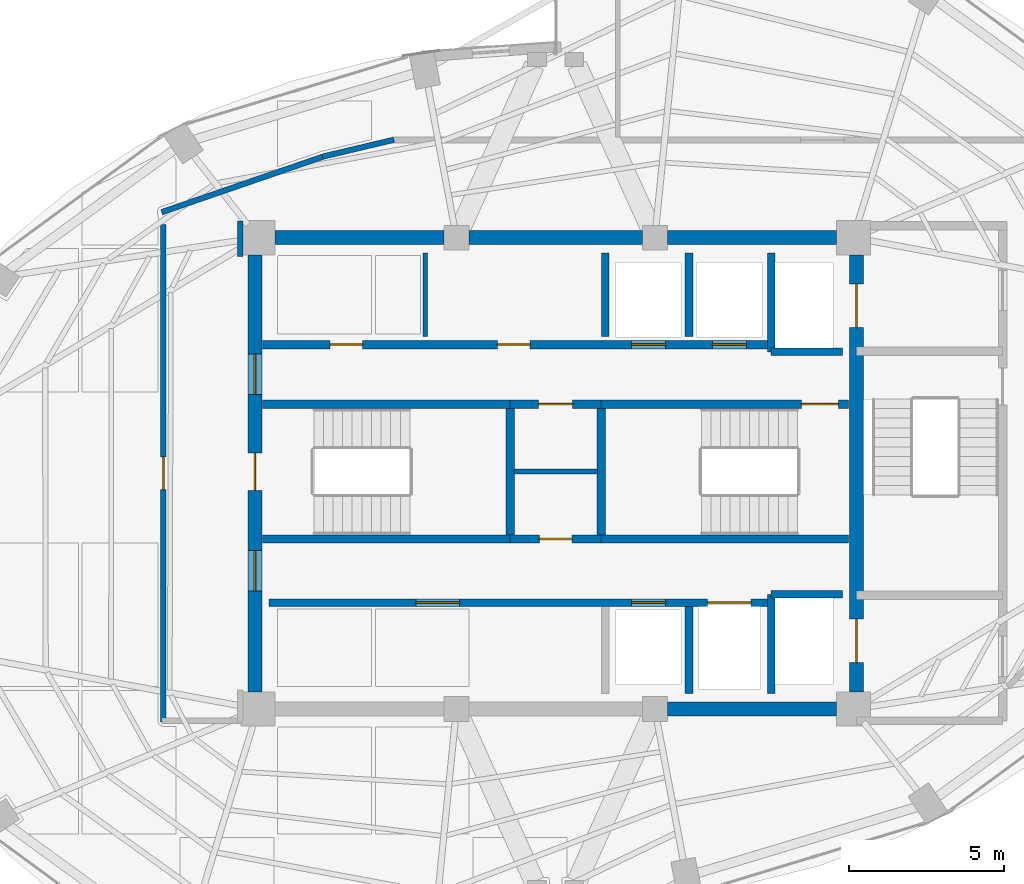
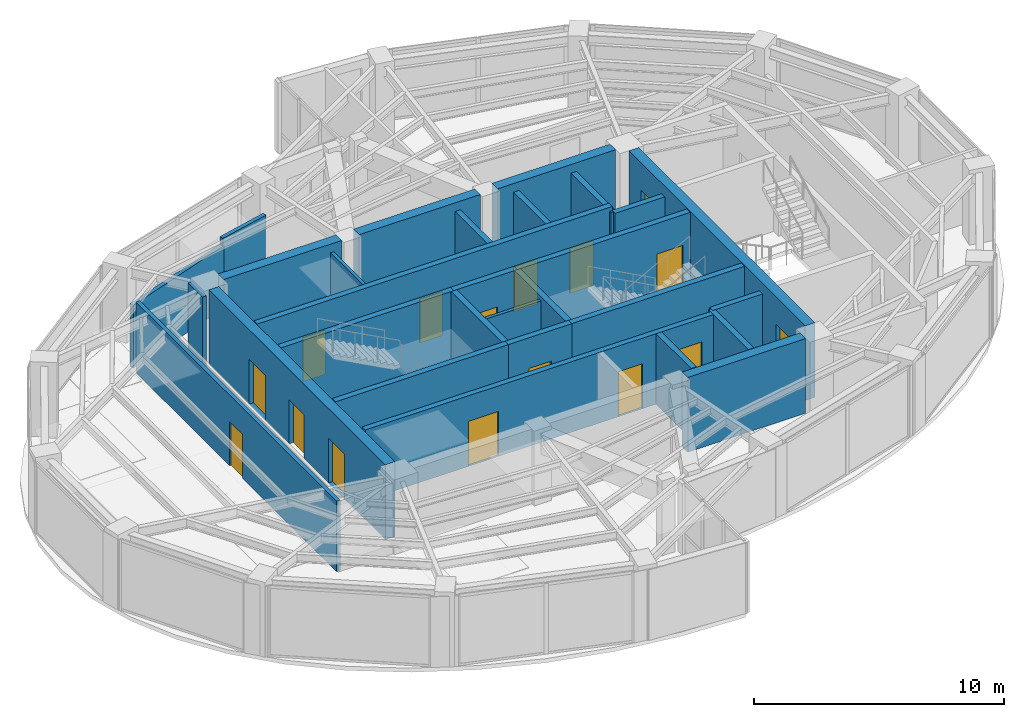
# One storey, part 19 of 22: 29 walls, 16 doors, 16 openings.
"""IFC4 building model written with IfcOpenShell, lengths in metres."""

from ifc_helpers import new_model, si_unit, direction, frame, frame_2d, origin, place, context, subcontext, project, spatial, rectangle, extrude, material, layer, layer_set, type_object, element, fill, save


model = new_model("IFC4")

# Units and contexts
model_context = context("Model", 3, precision=1e-05, world=origin(), true_north=direction((0.0, 1.0)))
body_context = subcontext(model_context, "Body", "Model", "MODEL_VIEW")
ifc_project = project(units=[si_unit("LENGTHUNIT", "METRE"), si_unit("AREAUNIT", "SQUARE_METRE"), si_unit("VOLUMEUNIT", "CUBIC_METRE"), si_unit("PLANEANGLEUNIT", "RADIAN"), si_unit("MASSUNIT", "GRAM", prefix="KILO")], contexts=[model_context])

# Site, building, storey
site_placement = place(None, origin())
site = spatial("IfcSite", under=ifc_project, at=site_placement, CompositionType="ELEMENT")
building_placement = place(site_placement, origin())
building = spatial("IfcBuilding", under=site, at=building_placement, Name="Lazwardi Medical Tower", CompositionType="ELEMENT")
storey_placement = place(building_placement, frame((0.0, 0.0, 255.02392578125)))
storey = spatial("IfcBuildingStorey", under=building, at=storey_placement, Name="L66", CompositionType="ELEMENT", Elevation=255.02392578125)

# Walls
ifc_material_1 = material(Name="Fire-rated gypsum board on steel stud", Category="steel")
ifc_layer_1 = layer(ifc_material_1, 0.179931640625)
ifc_layer_set_1 = layer_set([ifc_layer_1], Name="Fire-rated gypsum board on steel stud")
wall_type_1 = type_object("IfcWallType", Name="WL-COR-180", PredefinedType="PARTITIONING", material=ifc_layer_set_1)
wall_1_placement = place(storey_placement, frame((23.294189453125, 36.422119140625, 0.0), z_axis=(0.0, 0.0, 1.0), x_axis=(0.945493277461, 0.325641616316, 0.0)))
element("IfcWall", 1, at=wall_1_placement, inside=storey, type_object=wall_type_1, Name="L66 Corridor partition 1", PredefinedType="PARTITIONING", context=body_context, shape_type="SweptSolid", body=[
    extrude(rectangle(XDim=5.5615234375, YDim=0.179931640625, at=frame_2d((2.78076171875, 0.0))), origin(), (0.0, 0.0, 1.0), 3.072998046875),
])
wall_2_placement = place(storey_placement, frame((28.475830078125, 38.2109375, 0.0), z_axis=(0.0, 0.0, 1.0), x_axis=(0.973030562203, 0.230676234189, 0.0)))
element("IfcWall", 2, at=wall_2_placement, inside=storey, type_object=wall_type_1, Name="L66 Corridor partition 2", PredefinedType="PARTITIONING", context=body_context, shape_type="SweptSolid", body=[
    extrude(rectangle(XDim=2.377197265625, YDim=0.179931640625, at=frame_2d((1.1884765625, 0.0))), origin(), (0.0, 0.0, 1.0), 3.447998046875),
])
wall_3_placement = place(storey_placement, frame((25.830078125, 36.139892578125, 0.0), z_axis=(0.0, 0.0, 1.0), x_axis=(0.0, -1.0, 0.0)))
element("IfcWall", 3, at=wall_3_placement, inside=storey, type_object=wall_type_1, Name="L66 Corridor partition 7", PredefinedType="PARTITIONING", context=body_context, shape_type="SweptSolid", body=[
    extrude(rectangle(XDim=1.14990234375, YDim=0.179931640625, at=frame_2d((0.574951171875, 0.0))), origin(), (0.0, 0.0, 1.0), 3.447998046875),
])

# Wall, opening, door
wall_4_placement = place(storey_placement, frame((23.35009765625, 19.97998046875, 0.0), z_axis=(0.0, 0.0, 1.0), x_axis=(0.0, 1.0, 0.0)))
wall_4 = element("IfcWall", 4, at=wall_4_placement, inside=storey, type_object=wall_type_1, Name="L66 Corridor partition 10", PredefinedType="PARTITIONING", context=body_context, shape_type="SweptSolid", body=[
    extrude(rectangle(XDim=16.04248046875, YDim=0.179931640625, at=frame_2d((8.021240234375, 0.0))), origin(), (0.0, 0.0, 1.0), 3.447998046875),
])
opening_1_placement = place(wall_4_placement, frame((7.49609375, 0.0, 0.0)))
opening_1 = element("IfcOpeningElement", 5, at=opening_1_placement, cuts=wall_4, Name="Opening D-L66-010", PredefinedType="OPENING", context=body_context, shape_type="SweptSolid", body=[
    extrude(rectangle(XDim=1.050048828125, YDim=2.14990234375, at=frame_2d((0.52490234375, 1.074951171875))), frame((0.0, 0.099853515625, 0.0), z_axis=(0.0, -1.0, 0.0), x_axis=(1.0, 0.0, 0.0)), (0.0, 0.0, 1.0), 0.199951171875),
])
ifc_material_2 = material(Name="Anti-microbial laminate hospital leaf")
door_type_1 = type_object("IfcDoorType", Name="DR-CLN-1050", OperationType="NOTDEFINED", PredefinedType="DOOR", material=ifc_material_2)
door_1_placement = place(opening_1_placement, origin())
door_1 = element("IfcDoor", 6, at=door_1_placement, inside=storey, type_object=door_type_1, Name="L66 Ward Dietetic Pantry Door 01", OperationType="SINGLE_SWING_RIGHT", OverallHeight=2.14990234375, OverallWidth=1.050048828125, PredefinedType="DOOR", context=body_context, shape_type="SweptSolid", body=[
    extrude(rectangle(XDim=1.050048828125, YDim=2.14990234375, at=frame_2d((0.52490234375, 1.074951171875))), frame((0.0, 0.02490234375, 0.0), z_axis=(0.0, -1.0, 0.0), x_axis=(1.0, 0.0, 0.0)), (0.0, 0.0, 1.0), 0.050048828125),
])
fill(opening_1, door_1)

# Wall, openings, doors
ifc_material_3 = material(Name="Concrete C60/75", Category="concrete")
ifc_layer_2 = layer(ifc_material_3, 0.449951171875)
ifc_layer_set_2 = layer_set([ifc_layer_2], Name="Concrete C60/75")
wall_type_2 = type_object("IfcWallType", Name="WL-CORE-450", PredefinedType="SHEAR", material=ifc_layer_set_2)
wall_5_placement = place(storey_placement, frame((26.300048828125, 20.949951171875, 0.0), z_axis=(0.0, 0.0, 1.0), x_axis=(0.0, 1.0, 0.0)))
wall_5 = element("IfcWall", 7, at=wall_5_placement, inside=storey, type_object=wall_type_2, Name="Core wall CW-S4 west L66", PredefinedType="SHEAR", context=body_context, shape_type="SweptSolid", body=[
    extrude(rectangle(XDim=14.10009765625, YDim=0.449951171875, at=frame_2d((7.050048828125, 0.0))), origin(), (0.0, 0.0, 1.0), 3.648193359375),
])
opening_2_placement = place(wall_5_placement, frame((6.5, 0.0, 0.0)))
opening_2 = element("IfcOpeningElement", 8, at=opening_2_placement, cuts=wall_5, Name="Opening D-L66-012", PredefinedType="OPENING", context=body_context, shape_type="SweptSolid", body=[
    extrude(rectangle(XDim=1.199951171875, YDim=2.14990234375, at=frame_2d((0.60009765625, 1.074951171875))), frame((0.0, 0.23486328125, 0.0), z_axis=(0.0, -1.0, 0.0), x_axis=(1.0, 0.0, 0.0)), (0.0, 0.0, 1.0), 0.469970703125),
])
opening_3_placement = place(wall_5_placement, frame((9.60009765625, 0.0, 0.0)))
opening_3 = element("IfcOpeningElement", 9, at=opening_3_placement, cuts=wall_5, Name="Opening D-L66-008", PredefinedType="OPENING", context=body_context, shape_type="SweptSolid", body=[
    extrude(rectangle(XDim=1.300048828125, YDim=2.199951171875, at=frame_2d((0.64990234375, 1.10009765625))), frame((0.0, 0.23486328125, 0.0), z_axis=(0.0, -1.0, 0.0), x_axis=(1.0, 0.0, 0.0)), (0.0, 0.0, 1.0), 0.469970703125),
])
opening_4_placement = place(wall_5_placement, frame((3.260009765625, 0.0, 0.0)))
opening_4 = element("IfcOpeningElement", 10, at=opening_4_placement, cuts=wall_5, Name="Opening D-L66-009", PredefinedType="OPENING", context=body_context, shape_type="SweptSolid", body=[
    extrude(rectangle(XDim=1.300048828125, YDim=2.199951171875, at=frame_2d((0.64990234375, 1.10009765625))), frame((0.0, 0.23486328125, 0.0), z_axis=(0.0, -1.0, 0.0), x_axis=(1.0, 0.0, 0.0)), (0.0, 0.0, 1.0), 0.469970703125),
])
ifc_material_4 = material(Name="Fire-rated steel leaf and frame", Category="steel")
door_type_2 = type_object("IfcDoorType", Name="DR-FFL-1300", OperationType="NOTDEFINED", PredefinedType="DOOR", material=ifc_material_4)
door_2_placement = place(opening_3_placement, origin())
door_2 = element("IfcDoor", 11, at=door_2_placement, inside=storey, type_object=door_type_2, Name="L66 North Lift Lobby Door", OperationType="SINGLE_SWING_RIGHT", OverallHeight=2.199951171875, OverallWidth=1.300048828125, PredefinedType="DOOR", context=body_context, shape_type="SweptSolid", body=[
    extrude(rectangle(XDim=1.300048828125, YDim=2.199951171875, at=frame_2d((0.64990234375, 1.10009765625))), frame((0.0, 0.02490234375, 0.0), z_axis=(0.0, -1.0, 0.0), x_axis=(1.0, 0.0, 0.0)), (0.0, 0.0, 1.0), 0.050048828125),
])
fill(opening_3, door_2)
door_3_placement = place(opening_4_placement, origin())
door_3 = element("IfcDoor", 12, at=door_3_placement, inside=storey, type_object=door_type_2, Name="L66 South Lift Lobby Door", OperationType="SINGLE_SWING_LEFT", OverallHeight=2.199951171875, OverallWidth=1.300048828125, PredefinedType="DOOR", context=body_context, shape_type="SweptSolid", body=[
    extrude(rectangle(XDim=1.300048828125, YDim=2.199951171875, at=frame_2d((0.64990234375, 1.10009765625))), frame((0.0, 0.02490234375, 0.0), z_axis=(0.0, -1.0, 0.0), x_axis=(1.0, 0.0, 0.0)), (0.0, 0.0, 1.0), 0.050048828125),
])
fill(opening_4, door_3)
door_type_3 = type_object("IfcDoorType", Name="DR-STR-1200", OperationType="NOTDEFINED", PredefinedType="DOOR", material=ifc_material_4)
door_4_placement = place(opening_2_placement, origin())
door_4 = element("IfcDoor", 13, at=door_4_placement, inside=storey, type_object=door_type_3, Name="L66 Exit Stair ST1 Door", OperationType="SINGLE_SWING_RIGHT", OverallHeight=2.14990234375, OverallWidth=1.199951171875, PredefinedType="DOOR", context=body_context, shape_type="SweptSolid", body=[
    extrude(rectangle(XDim=1.199951171875, YDim=2.14990234375, at=frame_2d((0.60009765625, 1.074951171875))), frame((0.0, 0.02490234375, 0.0), z_axis=(0.0, -1.0, 0.0), x_axis=(1.0, 0.0, 0.0)), (0.0, 0.0, 1.0), 0.050048828125),
])
fill(opening_2, door_4)

wall_6_placement = place(storey_placement, frame((45.699951171875, 20.949951171875, 0.0), z_axis=(0.0, 0.0, 1.0), x_axis=(0.0, 1.0, 0.0)))
wall_6 = element("IfcWall", 14, at=wall_6_placement, inside=storey, type_object=wall_type_2, Name="Core wall CW-S4 east L66", PredefinedType="SHEAR", context=body_context, shape_type="SweptSolid", body=[
    extrude(rectangle(XDim=14.10009765625, YDim=0.449951171875, at=frame_2d((7.050048828125, 0.0))), origin(), (0.0, 0.0, 1.0), 3.648193359375),
])
opening_5_placement = place(wall_6_placement, frame((11.75, 0.0, 0.0)))
opening_5 = element("IfcOpeningElement", 15, at=opening_5_placement, cuts=wall_6, Name="Opening LD-L66-001", PredefinedType="OPENING", context=body_context, shape_type="SweptSolid", body=[
    extrude(rectangle(XDim=1.39990234375, YDim=2.300048828125, at=frame_2d((0.699951171875, 1.14990234375))), frame((0.0, 0.23486328125, 0.0), z_axis=(0.0, -1.0, 0.0), x_axis=(1.0, 0.0, 0.0)), (0.0, 0.0, 1.0), 0.469970703125),
])
opening_6_placement = place(wall_6_placement, frame((0.949951171875, 0.0, 0.0)))
opening_6 = element("IfcOpeningElement", 16, at=opening_6_placement, cuts=wall_6, Name="Opening LD-L66-002", PredefinedType="OPENING", context=body_context, shape_type="SweptSolid", body=[
    extrude(rectangle(XDim=1.39990234375, YDim=2.300048828125, at=frame_2d((0.699951171875, 1.14990234375))), frame((0.0, 0.23486328125, 0.0), z_axis=(0.0, -1.0, 0.0), x_axis=(1.0, 0.0, 0.0)), (0.0, 0.0, 1.0), 0.469970703125),
])
ifc_material_5 = material(Name="Brushed stainless steel bed-lift landing door", Category="steel")
door_type_4 = type_object("IfcDoorType", Name="DR-LFT-1400", OperationType="NOTDEFINED", PredefinedType="DOOR", material=ifc_material_5)
door_5_placement = place(opening_5_placement, origin())
door_5 = element("IfcDoor", 17, at=door_5_placement, inside=storey, type_object=door_type_4, Name="L66 Lift Landing Door FL-01", OperationType="SLIDING_TO_LEFT", OverallHeight=2.300048828125, OverallWidth=1.39990234375, PredefinedType="DOOR", context=body_context, shape_type="SweptSolid", body=[
    extrude(rectangle(XDim=1.39990234375, YDim=2.300048828125, at=frame_2d((0.699951171875, 1.14990234375))), frame((0.0, 0.02490234375, 0.0), z_axis=(0.0, -1.0, 0.0), x_axis=(1.0, 0.0, 0.0)), (0.0, 0.0, 1.0), 0.050048828125),
])
fill(opening_5, door_5)
door_6_placement = place(opening_6_placement, origin())
door_6 = element("IfcDoor", 18, at=door_6_placement, inside=storey, type_object=door_type_4, Name="L66 Lift Landing Door FL-02", OperationType="SLIDING_TO_LEFT", OverallHeight=2.300048828125, OverallWidth=1.39990234375, PredefinedType="DOOR", context=body_context, shape_type="SweptSolid", body=[
    extrude(rectangle(XDim=1.39990234375, YDim=2.300048828125, at=frame_2d((0.699951171875, 1.14990234375))), frame((0.0, 0.02490234375, 0.0), z_axis=(0.0, -1.0, 0.0), x_axis=(1.0, 0.0, 0.0)), (0.0, 0.0, 1.0), 0.050048828125),
])
fill(opening_6, door_6)

# Walls
wall_7_placement = place(storey_placement, frame((26.949951171875, 35.60009765625, 0.0), z_axis=(0.0, 0.0, 1.0), x_axis=(1.0, 0.0, 0.0)))
element("IfcWall", 19, at=wall_7_placement, inside=storey, type_object=wall_type_2, Name="Core wall CW-S4 N1 L66", PredefinedType="SHEAR", context=body_context, shape_type="SweptSolid", body=[
    extrude(rectangle(XDim=5.449951171875, YDim=0.449951171875, at=frame_2d((2.72509765625, 0.0))), origin(), (0.0, 0.0, 1.0), 3.648193359375),
])
wall_8_placement = place(storey_placement, frame((33.199951171875, 35.60009765625, 0.0), z_axis=(0.0, 0.0, 1.0), x_axis=(1.0, 0.0, 0.0)))
element("IfcWall", 20, at=wall_8_placement, inside=storey, type_object=wall_type_2, Name="Core wall CW-S4 N2 L66", PredefinedType="SHEAR", context=body_context, shape_type="SweptSolid", body=[
    extrude(rectangle(XDim=5.60009765625, YDim=0.449951171875, at=frame_2d((2.800048828125, 0.0))), origin(), (0.0, 0.0, 1.0), 3.648193359375),
])
for number, where, z_axis, x_axis, name in (
    (21, (39.60009765625, 20.39990234375, 0.0), (0.0, 0.0, 1.0), (1.0, 0.0, 0.0), "Core wall CW-S4 S3 L66"),
    (22, (39.60009765625, 35.60009765625, 0.0), (0.0, 0.0, 1.0), (1.0, 0.0, 0.0), "Core wall CW-S4 N3 L66"),
):
    element("IfcWall", number, at=place(storey_placement, frame(where, z_axis=z_axis, x_axis=x_axis)), inside=storey, type_object=wall_type_2, Name=name, PredefinedType="SHEAR", context=body_context, shape_type="SweptSolid", body=[
        extrude(rectangle(XDim=5.449951171875, YDim=0.449951171875, at=frame_2d((2.72509765625, 0.0))), origin(), (0.0, 0.0, 1.0), 3.648193359375),
    ])

# Wall, openings, doors
ifc_material_6 = material(Name="Autoclaved aerated concrete blockwork", Category="masonry")
ifc_layer_3 = layer(ifc_material_6, 0.25)
ifc_layer_set_3 = layer_set([ifc_layer_3], Name="Autoclaved aerated concrete blockwork")
wall_type_3 = type_object("IfcWallType", Name="WL-SHAFT-250", PredefinedType="SOLIDWALL", material=ifc_layer_set_3)
wall_9_placement = place(storey_placement, frame((26.75, 23.830078125, 0.0), z_axis=(0.0, 0.0, 1.0), x_axis=(1.0, 0.0, 0.0)))
wall_9 = element("IfcWall", 23, at=wall_9_placement, inside=storey, type_object=wall_type_3, Name="L66 South lift bank front wall", PredefinedType="SOLIDWALL", context=body_context, shape_type="SweptSolid", body=[
    extrude(rectangle(XDim=16.199951171875, YDim=0.25, at=frame_2d((8.10009765625, 0.0))), origin(), (0.0, 0.0, 1.0), 3.447998046875),
])
opening_7_placement = place(wall_9_placement, frame((4.75, 0.0, 0.0)))
opening_7 = element("IfcOpeningElement", 24, at=opening_7_placement, cuts=wall_9, Name="Opening D-L66-005", PredefinedType="OPENING", context=body_context, shape_type="SweptSolid", body=[
    extrude(rectangle(XDim=1.39990234375, YDim=2.199951171875, at=frame_2d((0.699951171875, 1.10009765625))), frame((0.0, 0.135009765625, 0.0), z_axis=(0.0, -1.0, 0.0), x_axis=(1.0, 0.0, 0.0)), (0.0, 0.0, 1.0), 0.27001953125),
])
opening_8_placement = place(wall_9_placement, frame((11.699951171875, 0.0, 0.0)))
opening_8 = element("IfcOpeningElement", 25, at=opening_8_placement, cuts=wall_9, Name="Opening LD-L66-006", PredefinedType="OPENING", context=body_context, shape_type="SweptSolid", body=[
    extrude(rectangle(XDim=1.10009765625, YDim=2.199951171875, at=frame_2d((0.550048828125, 1.10009765625))), frame((0.0, 0.135009765625, 0.0), z_axis=(0.0, -1.0, 0.0), x_axis=(1.0, 0.0, 0.0)), (0.0, 0.0, 1.0), 0.27001953125),
])
opening_9_placement = place(wall_9_placement, frame((14.14990234375, 0.0, 0.0)))
opening_9 = element("IfcOpeningElement", 26, at=opening_9_placement, cuts=wall_9, Name="Opening LD-L66-003", PredefinedType="OPENING", context=body_context, shape_type="SweptSolid", body=[
    extrude(rectangle(XDim=1.39990234375, YDim=2.300048828125, at=frame_2d((0.699951171875, 1.14990234375))), frame((0.0, 0.135009765625, 0.0), z_axis=(0.0, -1.0, 0.0), x_axis=(1.0, 0.0, 0.0)), (0.0, 0.0, 1.0), 0.27001953125),
])
door_type_5 = type_object("IfcDoorType", Name="DR-BED-1400", OperationType="NOTDEFINED", PredefinedType="DOOR", material=ifc_material_2)
door_7_placement = place(opening_7_placement, origin())
door_7 = element("IfcDoor", 27, at=door_7_placement, inside=storey, type_object=door_type_5, Name="L66 Core Dialysis Door", OperationType="SINGLE_SWING_RIGHT", OverallHeight=2.199951171875, OverallWidth=1.39990234375, PredefinedType="DOOR", context=body_context, shape_type="SweptSolid", body=[
    extrude(rectangle(XDim=1.39990234375, YDim=2.199951171875, at=frame_2d((0.699951171875, 1.10009765625))), frame((0.0, 0.02490234375, 0.0), z_axis=(0.0, -1.0, 0.0), x_axis=(1.0, 0.0, 0.0)), (0.0, 0.0, 1.0), 0.050048828125),
])
fill(opening_7, door_7)
ifc_material_7 = material(Name="Brushed bronze stainless steel landing door", Category="steel")
door_type_6 = type_object("IfcDoorType", Name="DR-LFT-1100", OperationType="NOTDEFINED", PredefinedType="DOOR", material=ifc_material_7)
door_8_placement = place(opening_8_placement, origin())
door_8 = element("IfcDoor", 28, at=door_8_placement, inside=storey, type_object=door_type_6, Name="L66 Lift Landing Door PL-11", OperationType="SLIDING_TO_LEFT", OverallHeight=2.199951171875, OverallWidth=1.10009765625, PredefinedType="DOOR", context=body_context, shape_type="SweptSolid", body=[
    extrude(rectangle(XDim=1.10009765625, YDim=2.199951171875, at=frame_2d((0.550048828125, 1.10009765625))), frame((0.0, 0.02490234375, 0.0), z_axis=(0.0, -1.0, 0.0), x_axis=(1.0, 0.0, 0.0)), (0.0, 0.0, 1.0), 0.050048828125),
])
fill(opening_8, door_8)
door_9_placement = place(opening_9_placement, origin())
door_9 = element("IfcDoor", 29, at=door_9_placement, inside=storey, type_object=door_type_4, Name="L66 Lift Landing Door FL-03", OperationType="SLIDING_TO_LEFT", OverallHeight=2.300048828125, OverallWidth=1.39990234375, PredefinedType="DOOR", context=body_context, shape_type="SweptSolid", body=[
    extrude(rectangle(XDim=1.39990234375, YDim=2.300048828125, at=frame_2d((0.699951171875, 1.14990234375))), frame((0.0, 0.02490234375, 0.0), z_axis=(0.0, -1.0, 0.0), x_axis=(1.0, 0.0, 0.0)), (0.0, 0.0, 1.0), 0.050048828125),
])
fill(opening_9, door_9)

# Walls
wall_10_placement = place(storey_placement, frame((42.949951171875, 31.919921875, 0.0), z_axis=(0.0, 0.0, 1.0), x_axis=(0.0, 1.0, 0.0)))
element("IfcWall", 30, at=wall_10_placement, inside=storey, type_object=wall_type_3, Name="L66 FL-01 West shaft wall", PredefinedType="SOLIDWALL", context=body_context, shape_type="SweptSolid", body=[
    extrude(rectangle(XDim=3.18017578125, YDim=0.25, at=frame_2d((1.590087890625, 0.0))), origin(), (0.0, 0.0, 1.0), 3.447998046875),
])
wall_11_placement = place(storey_placement, frame((42.949951171875, 31.919921875, 0.0), z_axis=(0.0, 0.0, 1.0), x_axis=(1.0, 0.0, 0.0)))
element("IfcWall", 31, at=wall_11_placement, inside=storey, type_object=wall_type_3, Name="L66 FL-01 South shaft wall", PredefinedType="SOLIDWALL", context=body_context, shape_type="SweptSolid", body=[
    extrude(rectangle(XDim=2.300048828125, YDim=0.25, at=frame_2d((1.14990234375, 0.0))), origin(), (0.0, 0.0, 1.0), 3.447998046875),
])
wall_12_placement = place(storey_placement, frame((42.949951171875, 20.89990234375, 0.0), z_axis=(0.0, 0.0, 1.0), x_axis=(0.0, 1.0, 0.0)))
element("IfcWall", 32, at=wall_12_placement, inside=storey, type_object=wall_type_3, Name="L66 FL-02 West shaft wall", PredefinedType="SOLIDWALL", context=body_context, shape_type="SweptSolid", body=[
    extrude(rectangle(XDim=3.2001953125, YDim=0.25, at=frame_2d((1.60009765625, 0.0))), origin(), (0.0, 0.0, 1.0), 3.447998046875),
])
wall_13_placement = place(storey_placement, frame((42.949951171875, 24.10009765625, 0.0), z_axis=(0.0, 0.0, 1.0), x_axis=(1.0, 0.0, 0.0)))
element("IfcWall", 33, at=wall_13_placement, inside=storey, type_object=wall_type_3, Name="L66 FL-02 North shaft wall", PredefinedType="SOLIDWALL", context=body_context, shape_type="SweptSolid", body=[
    extrude(rectangle(XDim=2.300048828125, YDim=0.25, at=frame_2d((1.14990234375, 0.0))), origin(), (0.0, 0.0, 1.0), 3.447998046875),
])
for number, where, z_axis, x_axis, name in (
    (34, (37.60009765625, 32.419921875, 0.0), (0.0, 0.0, 1.0), (0.0, 1.0, 0.0), "L66 North hoistway divider"),
    (35, (40.300048828125, 32.419921875, 0.0), (0.0, 0.0, 1.0), (0.0, 1.0, 0.0), "L66 North hoistway divider"),
):
    element("IfcWall", number, at=place(storey_placement, frame(where, z_axis=z_axis, x_axis=x_axis)), inside=storey, type_object=wall_type_3, Name=name, PredefinedType="SOLIDWALL", context=body_context, shape_type="SweptSolid", body=[
        extrude(rectangle(XDim=2.68017578125, YDim=0.25, at=frame_2d((1.340087890625, 0.0))), origin(), (0.0, 0.0, 1.0), 3.447998046875),
    ])
wall_14_placement = place(storey_placement, frame((40.300048828125, 20.89990234375, 0.0), z_axis=(0.0, 0.0, 1.0), x_axis=(0.0, 1.0, 0.0)))
element("IfcWall", 36, at=wall_14_placement, inside=storey, type_object=wall_type_3, Name="L66 South hoistway divider", PredefinedType="SOLIDWALL", context=body_context, shape_type="SweptSolid", body=[
    extrude(rectangle(XDim=2.800048828125, YDim=0.25, at=frame_2d((1.39990234375, 0.0))), origin(), (0.0, 0.0, 1.0), 3.447998046875),
])
ifc_material_8 = material(Name="Concrete C50/60", Category="concrete")
ifc_layer_4 = layer(ifc_material_8, 0.27001953125)
ifc_layer_set_4 = layer_set([ifc_layer_4], Name="Concrete C50/60")
wall_type_4 = type_object("IfcWallType", Name="WL-STR-250", PredefinedType="SHEAR", material=ifc_layer_set_4)
wall_15_placement = place(storey_placement, frame((26.550048828125, 30.235107421875, 0.0), z_axis=(0.0, 0.0, 1.0), x_axis=(1.0, 0.0, 0.0)))
element("IfcWall", 37, at=wall_15_placement, inside=storey, type_object=wall_type_4, Name="L66 ST1 North shear shaft wall SW-S1", PredefinedType="SHEAR", context=body_context, shape_type="SweptSolid", body=[
    extrude(rectangle(XDim=7.98486328125, YDim=0.27001953125, at=frame_2d((3.992431640625, 0.0))), origin(), (0.0, 0.0, 1.0), 3.648193359375),
])

# Wall, opening, door
wall_16_placement = place(storey_placement, frame((34.534912109375, 30.235107421875, 0.0), z_axis=(0.0, 0.0, 1.0), x_axis=(1.0, 0.0, 0.0)))
wall_16 = element("IfcWall", 38, at=wall_16_placement, inside=storey, type_object=wall_type_4, Name="L66 Core service North shear wall SW-S1", PredefinedType="SHEAR", context=body_context, shape_type="SweptSolid", body=[
    extrude(rectangle(XDim=2.93017578125, YDim=0.27001953125, at=frame_2d((1.465087890625, 0.0))), origin(), (0.0, 0.0, 1.0), 3.648193359375),
])
opening_10_placement = place(wall_16_placement, frame((0.9150390625, 0.0, 0.0)))
opening_10 = element("IfcOpeningElement", 39, at=opening_10_placement, cuts=wall_16, Name="Opening D-L66-002", PredefinedType="OPENING", context=body_context, shape_type="SweptSolid", body=[
    extrude(rectangle(XDim=1.10009765625, YDim=2.14990234375, at=frame_2d((0.550048828125, 1.074951171875))), frame((0.0, 0.14501953125, 0.0), z_axis=(0.0, -1.0, 0.0), x_axis=(1.0, 0.0, 0.0)), (0.0, 0.0, 1.0), 0.2900390625),
])
door_type_7 = type_object("IfcDoorType", Name="DR-PLT-1100", OperationType="NOTDEFINED", PredefinedType="DOOR", material=ifc_material_4)
door_10_placement = place(opening_10_placement, origin())
door_10 = element("IfcDoor", 40, at=door_10_placement, inside=storey, type_object=door_type_7, Name="L66 Electrical Room Door", OperationType="SINGLE_SWING_LEFT", OverallHeight=2.14990234375, OverallWidth=1.10009765625, PredefinedType="DOOR", context=body_context, shape_type="SweptSolid", body=[
    extrude(rectangle(XDim=1.10009765625, YDim=2.14990234375, at=frame_2d((0.550048828125, 1.074951171875))), frame((0.0, 0.02490234375, 0.0), z_axis=(0.0, -1.0, 0.0), x_axis=(1.0, 0.0, 0.0)), (0.0, 0.0, 1.0), 0.050048828125),
])
fill(opening_10, door_10)

wall_17_placement = place(storey_placement, frame((37.465087890625, 30.235107421875, 0.0), z_axis=(0.0, 0.0, 1.0), x_axis=(1.0, 0.0, 0.0)))
wall_17 = element("IfcWall", 41, at=wall_17_placement, inside=storey, type_object=wall_type_4, Name="L66 ST2 North shear shaft wall SW-S1", PredefinedType="SHEAR", context=body_context, shape_type="SweptSolid", body=[
    extrude(rectangle(XDim=7.98486328125, YDim=0.27001953125, at=frame_2d((3.992431640625, 0.0))), origin(), (0.0, 0.0, 1.0), 3.648193359375),
])
opening_11_placement = place(wall_17_placement, frame((6.455078125, 0.0, 0.0)))
opening_11 = element("IfcOpeningElement", 42, at=opening_11_placement, cuts=wall_17, Name="Opening D-L66-013", PredefinedType="OPENING", context=body_context, shape_type="SweptSolid", body=[
    extrude(rectangle(XDim=1.199951171875, YDim=2.14990234375, at=frame_2d((0.60009765625, 1.074951171875))), frame((0.0, 0.14501953125, 0.0), z_axis=(0.0, -1.0, 0.0), x_axis=(1.0, 0.0, 0.0)), (0.0, 0.0, 1.0), 0.2900390625),
])
door_11_placement = place(opening_11_placement, origin())
door_11 = element("IfcDoor", 43, at=door_11_placement, inside=storey, type_object=door_type_3, Name="L66 Exit Stair ST2 Door", OperationType="SINGLE_SWING_LEFT", OverallHeight=2.14990234375, OverallWidth=1.199951171875, PredefinedType="DOOR", context=body_context, shape_type="SweptSolid", body=[
    extrude(rectangle(XDim=1.199951171875, YDim=2.14990234375, at=frame_2d((0.60009765625, 1.074951171875))), frame((0.0, 0.02490234375, 0.0), z_axis=(0.0, -1.0, 0.0), x_axis=(1.0, 0.0, 0.0)), (0.0, 0.0, 1.0), 0.050048828125),
])
fill(opening_11, door_11)

# Wall
wall_18_placement = place(storey_placement, frame((26.550048828125, 25.885009765625, 0.0), z_axis=(0.0, 0.0, 1.0), x_axis=(1.0, 0.0, 0.0)))
element("IfcWall", 44, at=wall_18_placement, inside=storey, type_object=wall_type_4, Name="L66 ST1 South shear shaft wall SW-S1", PredefinedType="SHEAR", context=body_context, shape_type="SweptSolid", body=[
    extrude(rectangle(XDim=7.98486328125, YDim=0.27001953125, at=frame_2d((3.992431640625, 0.0))), origin(), (0.0, 0.0, 1.0), 3.648193359375),
])

# Wall, opening, door
wall_19_placement = place(storey_placement, frame((34.534912109375, 25.885009765625, 0.0), z_axis=(0.0, 0.0, 1.0), x_axis=(1.0, 0.0, 0.0)))
wall_19 = element("IfcWall", 45, at=wall_19_placement, inside=storey, type_object=wall_type_4, Name="L66 Core service South shear wall SW-S1", PredefinedType="SHEAR", context=body_context, shape_type="SweptSolid", body=[
    extrude(rectangle(XDim=2.93017578125, YDim=0.27001953125, at=frame_2d((1.465087890625, 0.0))), origin(), (0.0, 0.0, 1.0), 3.648193359375),
])
opening_12_placement = place(wall_19_placement, frame((0.93994140625, 0.0, 0.0)))
opening_12 = element("IfcOpeningElement", 46, at=opening_12_placement, cuts=wall_19, Name="Opening D-L66-001", PredefinedType="OPENING", context=body_context, shape_type="SweptSolid", body=[
    extrude(rectangle(XDim=1.050048828125, YDim=2.14990234375, at=frame_2d((0.52490234375, 1.074951171875))), frame((0.0, 0.14501953125, 0.0), z_axis=(0.0, -1.0, 0.0), x_axis=(1.0, 0.0, 0.0)), (0.0, 0.0, 1.0), 0.2900390625),
])
door_12_placement = place(opening_12_placement, origin())
door_12 = element("IfcDoor", 47, at=door_12_placement, inside=storey, type_object=door_type_1, Name="L66 Dirty Sluice Door", OperationType="SINGLE_SWING_RIGHT", OverallHeight=2.14990234375, OverallWidth=1.050048828125, PredefinedType="DOOR", context=body_context, shape_type="SweptSolid", body=[
    extrude(rectangle(XDim=1.050048828125, YDim=2.14990234375, at=frame_2d((0.52490234375, 1.074951171875))), frame((0.0, 0.02490234375, 0.0), z_axis=(0.0, -1.0, 0.0), x_axis=(1.0, 0.0, 0.0)), (0.0, 0.0, 1.0), 0.050048828125),
])
fill(opening_12, door_12)

# Walls
wall_20_placement = place(storey_placement, frame((37.465087890625, 25.885009765625, 0.0), z_axis=(0.0, 0.0, 1.0), x_axis=(1.0, 0.0, 0.0)))
element("IfcWall", 48, at=wall_20_placement, inside=storey, type_object=wall_type_4, Name="L66 ST2 South shear shaft wall SW-S1", PredefinedType="SHEAR", context=body_context, shape_type="SweptSolid", body=[
    extrude(rectangle(XDim=7.98486328125, YDim=0.27001953125, at=frame_2d((3.992431640625, 0.0))), origin(), (0.0, 0.0, 1.0), 3.648193359375),
])
for number, where, z_axis, x_axis, name in (
    (49, (34.534912109375, 26.02001953125, 0.0), (0.0, 0.0, 1.0), (0.0, 1.0, 0.0), "L66 ST1 East shear shaft wall SW-S1"),
    (50, (37.465087890625, 26.02001953125, 0.0), (0.0, 0.0, 1.0), (0.0, 1.0, 0.0), "L66 ST2 West shear shaft wall SW-S1"),
):
    element("IfcWall", number, at=place(storey_placement, frame(where, z_axis=z_axis, x_axis=x_axis)), inside=storey, type_object=wall_type_4, Name=name, PredefinedType="SHEAR", context=body_context, shape_type="SweptSolid", body=[
        extrude(rectangle(XDim=4.080078125, YDim=0.27001953125, at=frame_2d((2.0400390625, 0.0))), origin(), (0.0, 0.0, 1.0), 3.648193359375),
    ])

# Wall, openings, doors
wall_21_placement = place(storey_placement, frame((26.550048828125, 32.14990234375, 0.0), z_axis=(0.0, 0.0, 1.0), x_axis=(1.0, 0.0, 0.0)))
wall_21 = element("IfcWall", 51, at=wall_21_placement, inside=storey, type_object=wall_type_4, Name="L66 North lift bank shear wall SW-S1", PredefinedType="SHEAR", context=body_context, shape_type="SweptSolid", body=[
    extrude(rectangle(XDim=16.39990234375, YDim=0.27001953125, at=frame_2d((8.199951171875, 0.0))), origin(), (0.0, 0.0, 1.0), 3.648193359375),
])
opening_13_placement = place(wall_21_placement, frame((2.175048828125, 0.0, 0.0)))
opening_13 = element("IfcOpeningElement", 52, at=opening_13_placement, cuts=wall_21, Name="Opening D-L66-003", PredefinedType="OPENING", context=body_context, shape_type="SweptSolid", body=[
    extrude(rectangle(XDim=1.050048828125, YDim=2.14990234375, at=frame_2d((0.52490234375, 1.074951171875))), frame((0.0, 0.14501953125, 0.0), z_axis=(0.0, -1.0, 0.0), x_axis=(1.0, 0.0, 0.0)), (0.0, 0.0, 1.0), 0.2900390625),
])
opening_14_placement = place(wall_21_placement, frame((7.574951171875, 0.0, 0.0)))
opening_14 = element("IfcOpeningElement", 53, at=opening_14_placement, cuts=wall_21, Name="Opening D-L66-004", PredefinedType="OPENING", context=body_context, shape_type="SweptSolid", body=[
    extrude(rectangle(XDim=1.050048828125, YDim=2.14990234375, at=frame_2d((0.52490234375, 1.074951171875))), frame((0.0, 0.14501953125, 0.0), z_axis=(0.0, -1.0, 0.0), x_axis=(1.0, 0.0, 0.0)), (0.0, 0.0, 1.0), 0.2900390625),
])
opening_15_placement = place(wall_21_placement, frame((11.89990234375, 0.0, 0.0)))
opening_15 = element("IfcOpeningElement", 54, at=opening_15_placement, cuts=wall_21, Name="Opening LD-L66-004", PredefinedType="OPENING", context=body_context, shape_type="SweptSolid", body=[
    extrude(rectangle(XDim=1.10009765625, YDim=2.199951171875, at=frame_2d((0.550048828125, 1.10009765625))), frame((0.0, 0.14501953125, 0.0), z_axis=(0.0, -1.0, 0.0), x_axis=(1.0, 0.0, 0.0)), (0.0, 0.0, 1.0), 0.2900390625),
])
opening_16_placement = place(wall_21_placement, frame((14.5, 0.0, 0.0)))
opening_16 = element("IfcOpeningElement", 55, at=opening_16_placement, cuts=wall_21, Name="Opening LD-L66-005", PredefinedType="OPENING", context=body_context, shape_type="SweptSolid", body=[
    extrude(rectangle(XDim=1.10009765625, YDim=2.199951171875, at=frame_2d((0.550048828125, 1.10009765625))), frame((0.0, 0.14501953125, 0.0), z_axis=(0.0, -1.0, 0.0), x_axis=(1.0, 0.0, 0.0)), (0.0, 0.0, 1.0), 0.2900390625),
])
door_13_placement = place(opening_13_placement, origin())
door_13 = element("IfcDoor", 56, at=door_13_placement, inside=storey, type_object=door_type_1, Name="L66 Core Consult Door", OperationType="SINGLE_SWING_RIGHT", OverallHeight=2.14990234375, OverallWidth=1.050048828125, PredefinedType="DOOR", context=body_context, shape_type="SweptSolid", body=[
    extrude(rectangle(XDim=1.050048828125, YDim=2.14990234375, at=frame_2d((0.52490234375, 1.074951171875))), frame((0.0, 0.02490234375, 0.0), z_axis=(0.0, -1.0, 0.0), x_axis=(1.0, 0.0, 0.0)), (0.0, 0.0, 1.0), 0.050048828125),
])
fill(opening_13, door_13)
door_14_placement = place(opening_14_placement, origin())
door_14 = element("IfcDoor", 57, at=door_14_placement, inside=storey, type_object=door_type_1, Name="L66 Core Pharmacy Door", OperationType="SINGLE_SWING_LEFT", OverallHeight=2.14990234375, OverallWidth=1.050048828125, PredefinedType="DOOR", context=body_context, shape_type="SweptSolid", body=[
    extrude(rectangle(XDim=1.050048828125, YDim=2.14990234375, at=frame_2d((0.52490234375, 1.074951171875))), frame((0.0, 0.02490234375, 0.0), z_axis=(0.0, -1.0, 0.0), x_axis=(1.0, 0.0, 0.0)), (0.0, 0.0, 1.0), 0.050048828125),
])
fill(opening_14, door_14)
door_15_placement = place(opening_15_placement, origin())
door_15 = element("IfcDoor", 58, at=door_15_placement, inside=storey, type_object=door_type_6, Name="L66 Lift Landing Door PL-09", OperationType="SLIDING_TO_LEFT", OverallHeight=2.199951171875, OverallWidth=1.10009765625, PredefinedType="DOOR", context=body_context, shape_type="SweptSolid", body=[
    extrude(rectangle(XDim=1.10009765625, YDim=2.199951171875, at=frame_2d((0.550048828125, 1.10009765625))), frame((0.0, 0.02490234375, 0.0), z_axis=(0.0, -1.0, 0.0), x_axis=(1.0, 0.0, 0.0)), (0.0, 0.0, 1.0), 0.050048828125),
])
fill(opening_15, door_15)
door_16_placement = place(opening_16_placement, origin())
door_16 = element("IfcDoor", 59, at=door_16_placement, inside=storey, type_object=door_type_6, Name="L66 Lift Landing Door PL-10", OperationType="SLIDING_TO_LEFT", OverallHeight=2.199951171875, OverallWidth=1.10009765625, PredefinedType="DOOR", context=body_context, shape_type="SweptSolid", body=[
    extrude(rectangle(XDim=1.10009765625, YDim=2.199951171875, at=frame_2d((0.550048828125, 1.10009765625))), frame((0.0, 0.02490234375, 0.0), z_axis=(0.0, -1.0, 0.0), x_axis=(1.0, 0.0, 0.0)), (0.0, 0.0, 1.0), 0.050048828125),
])
fill(opening_16, door_16)

# Walls
ifc_material_9 = material(Name="Acoustic gypsum board partition")
ifc_layer_5 = layer(ifc_material_9, 0.14990234375)
ifc_layer_set_5 = layer_set([ifc_layer_5], Name="Acoustic gypsum board partition")
wall_type_5 = type_object("IfcWallType", Name="WL-WRD-150", PredefinedType="PARTITIONING", material=ifc_layer_set_5)
wall_22_placement = place(storey_placement, frame((34.64990234375, 28.06005859375, 0.0), z_axis=(0.0, 0.0, 1.0), x_axis=(1.0, 0.0, 0.0)))
element("IfcWall", 60, at=wall_22_placement, inside=storey, type_object=wall_type_5, Name="L66 Core service divider", PredefinedType="PARTITIONING", context=body_context, shape_type="SweptSolid", body=[
    extrude(rectangle(XDim=2.7001953125, YDim=0.14990234375, at=frame_2d((1.35009765625, 0.0))), origin(), (0.0, 0.0, 1.0), 3.447998046875),
])
wall_23_placement = place(storey_placement, frame((31.800048828125, 32.419921875, 0.0), z_axis=(0.0, 0.0, 1.0), x_axis=(0.0, 1.0, 0.0)))
element("IfcWall", 61, at=wall_23_placement, inside=storey, type_object=wall_type_5, Name="L66 Freed bay2 N split", PredefinedType="PARTITIONING", context=body_context, shape_type="SweptSolid", body=[
    extrude(rectangle(XDim=2.68017578125, YDim=0.14990234375, at=frame_2d((1.340087890625, 0.0))), origin(), (0.0, 0.0, 1.0), 3.447998046875),
])

save(model, "model.ifc")
